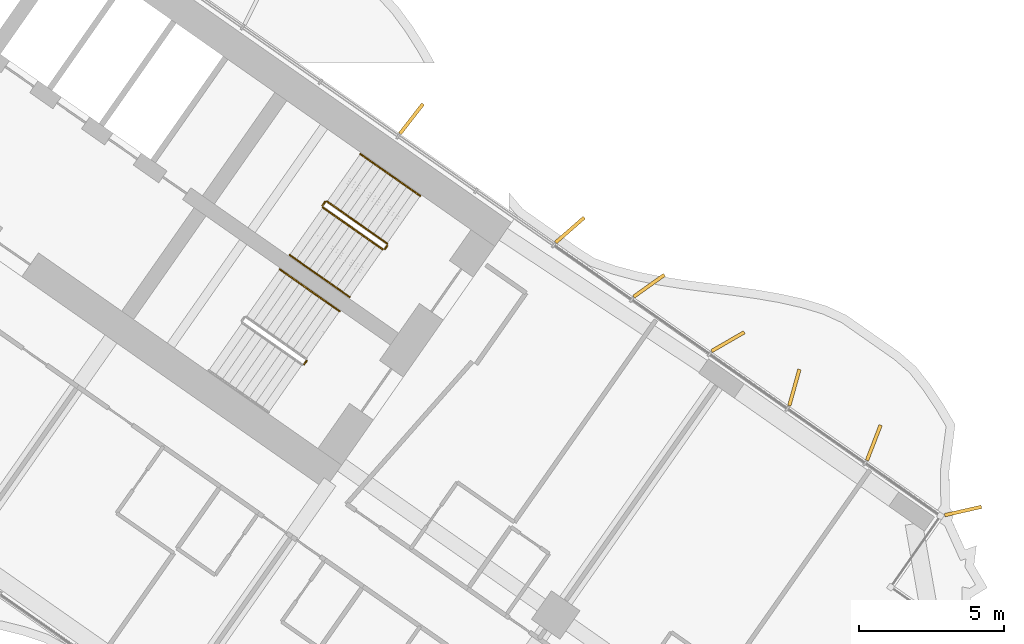
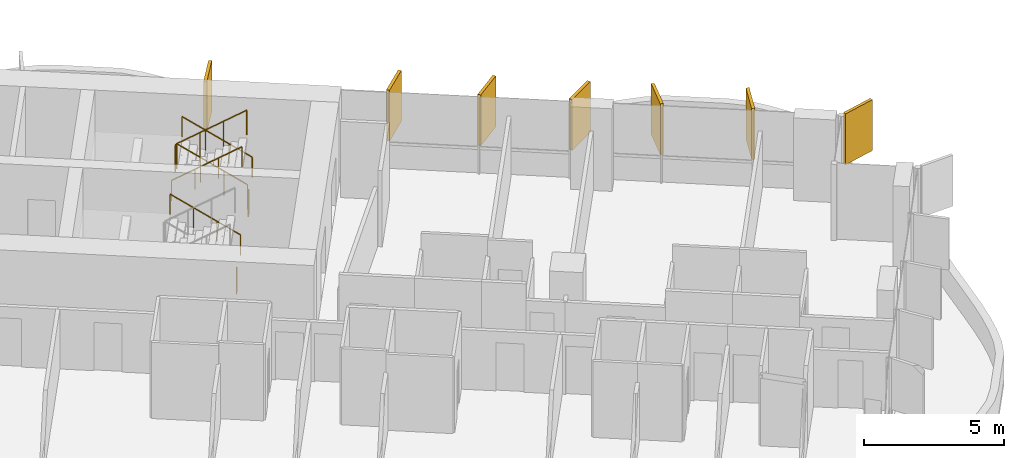
# One storey, part 25 of 25: 8 railings, 7 shading devices.
"""IFC4 building model written with IfcOpenShell, lengths in metres."""

from ifc_helpers import new_model, si_unit, direction, frame, origin, origin_2d, place, context, subcontext, project, spatial, rectangle, circle, extrude, material, layer, layer_set, type_object, element, save


model = new_model("IFC4")

# Units and contexts
model_context = context("Model", 3, precision=1e-05, world=origin(), true_north=direction((0.0, 1.0)))
body_context = subcontext(model_context, "Body", "Model", "MODEL_VIEW")
ifc_project = project(units=[si_unit("LENGTHUNIT", "METRE"), si_unit("AREAUNIT", "SQUARE_METRE"), si_unit("VOLUMEUNIT", "CUBIC_METRE"), si_unit("PLANEANGLEUNIT", "RADIAN"), si_unit("MASSUNIT", "GRAM", prefix="KILO")], contexts=[model_context])

# Site, building, storey
site_placement = place(None, origin())
site = spatial("IfcSite", under=ifc_project, at=site_placement, CompositionType="ELEMENT")
building_placement = place(site_placement, origin())
building = spatial("IfcBuilding", under=site, at=building_placement, Name="Tel Ilan Convention Tower", CompositionType="ELEMENT")
storey_placement = place(building_placement, frame((0.0, 0.0, 61.699951171875)))
storey = spatial("IfcBuildingStorey", under=building, at=storey_placement, Name="L10", CompositionType="ELEMENT", Elevation=61.699951171875)

# Shading devices
ifc_material_1 = material(Name="Aluminium, bronze anodised", Category="aluminium")
ifc_layer = layer(ifc_material_1, 0.1201171875)
ifc_layer_set = layer_set([ifc_layer], Name="FIN BRONZE 1300x120")
shading_device_type = type_object("IfcShadingDeviceType", Name="FIN BRONZE 1300x120", PredefinedType="USERDEFINED", material=ifc_layer_set)
for number, where, z_axis, x_axis, name in (
    (1, (29.980712890625, -7.38720703125, 1.10009765625), (0.0, 0.0, 1.0), (0.753435896329, 0.657521368568, 0.0), "FIN"),
    (2, (24.52197265625, -3.556884765625, 1.10009765625), (0.0, 0.0, 1.0), (0.612600545196, 0.790392669516, 0.0), "FIN"),
    (3, (43.520751953125, -17.065673828125, 1.10009765625), (0.0, 0.0, 1.0), (0.975235208752, 0.221170268371, 0.0), "FIN"),
    (4, (40.4462890625, -14.71533203125, 1.10009765625), (0.0, 0.0, 1.0), (0.360177724803, 0.932883704733, 0.0), "FIN"),
    (5, (37.709228515625, -12.814208984375, 1.10009765625), (0.0, 0.0, 1.0), (0.268172612768, 0.963370878614, 0.0), "FIN"),
    (6, (35.420654296875, -11.234130859375, 1.10009765625), (0.0, 0.0, 1.0), (0.866025403784, 0.5, 0.0), "FIN"),
    (7, (32.703369140625, -9.308837890625, 1.10009765625), (0.0, 0.0, 1.0), (0.813552070258, 0.581492071294, 0.0), "FIN"),
):
    element("IfcShadingDevice", number, at=place(storey_placement, frame(where, z_axis=z_axis, x_axis=x_axis)), inside=storey, type_object=shading_device_type, Name=name, ObjectType="FIN", PredefinedType="USERDEFINED", context=body_context, shape_type="SweptSolid", body=[
        extrude(rectangle(XDim=1.300048828125, YDim=0.1201171875, at=origin_2d()), origin(), (0.0, 0.0, 1.0), 2.219970703125),
    ])

# Railings
ifc_material_2 = material(Name="Stainless Steel Grade 316", Category="steel")
railing_type_1 = type_object("IfcRailingType", Name="Stainless Steel Stair Guard 1100 mm", PredefinedType="GUARDRAIL", material=ifc_material_2)
railing_1_placement = place(storey_placement, frame((23.6787109375, -7.8515625, 0.179931640625)))
element("IfcRailing", 8, at=railing_1_placement, inside=storey, type_object=railing_type_1, Name="L10 S3 stair guard 1", PredefinedType="GUARDRAIL", context=body_context, shape_type="SweptSolid", body=[
    extrude(circle(Radius=0.02392578125, at=origin_2d()), frame((0.0, 0.0, 1.076171875), z_axis=(-0.689013013563, 0.482512838948, 0.540779462804), x_axis=(-0.573624882958, -0.819118119475, 0.0)), (0.0, 0.0, 1.0), 2.995849609375),
    extrude(circle(Radius=0.02099609375, at=origin_2d()), origin(), (0.0, 0.0, 1.0), 1.052001953125),
    extrude(circle(Radius=0.02099609375, at=origin_2d()), frame((-0.68798828125, 0.48193359375, 0.5400390625)), (0.0, 0.0, 1.0), 1.052001953125),
    extrude(circle(Radius=0.02099609375, at=origin_2d()), frame((-1.376220703125, 0.963623046875, 1.080078125)), (0.0, 0.0, 1.0), 1.052001953125),
    extrude(circle(Radius=0.02099609375, at=origin_2d()), frame((-2.064208984375, 1.445556640625, 1.6201171875)), (0.0, 0.0, 1.0), 1.052001953125),
])
railing_2_placement = place(storey_placement, frame((21.544921875, -6.41845703125, 1.800048828125)))
element("IfcRailing", 9, at=railing_2_placement, inside=storey, type_object=railing_type_1, Name="L10 S3 stair guard 2", PredefinedType="GUARDRAIL", context=body_context, shape_type="SweptSolid", body=[
    extrude(circle(Radius=0.02392578125, at=origin_2d()), frame((0.0, 0.0, 1.076171875), z_axis=(-0.573353020881, -0.819308436089, 0.0), x_axis=(0.819308436089, -0.573353020881, 0.0)), (0.0, 0.0, 1.0), 0.14990234375),
    extrude(circle(Radius=0.02099609375, at=origin_2d()), origin(), (0.0, 0.0, 1.0), 1.052001953125),
    extrude(circle(Radius=0.02099609375, at=origin_2d()), frame((-0.0859375, -0.122802734375, 0.0)), (0.0, 0.0, 1.0), 1.052001953125),
])
railing_3_placement = place(storey_placement, frame((21.47119140625, -6.61083984375, 1.97998046875)))
element("IfcRailing", 10, at=railing_3_placement, inside=storey, type_object=railing_type_1, Name="L10 S3 stair guard 3", PredefinedType="GUARDRAIL", context=body_context, shape_type="SweptSolid", body=[
    extrude(circle(Radius=0.02392578125, at=origin_2d()), frame((0.0, 0.0, 1.076171875), z_axis=(0.689013013563, -0.482512838948, 0.540779462804), x_axis=(0.573624882958, 0.819118119475, 0.0)), (0.0, 0.0, 1.0), 2.995849609375),
    extrude(circle(Radius=0.02099609375, at=origin_2d()), origin(), (0.0, 0.0, 1.0), 1.052001953125),
    extrude(circle(Radius=0.02099609375, at=origin_2d()), frame((0.68798828125, -0.48193359375, 0.5400390625)), (0.0, 0.0, 1.0), 1.052001953125),
    extrude(circle(Radius=0.02099609375, at=origin_2d()), frame((1.376220703125, -0.963623046875, 1.080078125)), (0.0, 0.0, 1.0), 1.052001953125),
    extrude(circle(Radius=0.02099609375, at=origin_2d()), frame((2.064208984375, -1.445556640625, 1.6201171875)), (0.0, 0.0, 1.0), 1.052001953125),
])
railing_4_placement = place(storey_placement, frame((23.691162109375, -7.921142578125, 0.0)))
element("IfcRailing", 11, at=railing_4_placement, inside=storey, type_object=railing_type_1, Name="L10 S3 stair guard 4", PredefinedType="GUARDRAIL", context=body_context, shape_type="SweptSolid", body=[
    extrude(circle(Radius=0.02392578125, at=origin_2d()), frame((0.0, 0.0, 1.076171875), z_axis=(-0.574444878118, -0.818543268254, 0.0), x_axis=(0.818543268254, -0.574444878118, 0.0)), (0.0, 0.0, 1.0), 0.150146484375),
    extrude(circle(Radius=0.02099609375, at=origin_2d()), origin(), (0.0, 0.0, 1.0), 1.052001953125),
    extrude(circle(Radius=0.02099609375, at=origin_2d()), frame((-0.086181640625, -0.122802734375, 0.0)), (0.0, 0.0, 1.0), 1.052001953125),
])
railing_5_placement = place(storey_placement, frame((20.9091796875, -11.89404296875, 0.0)))
element("IfcRailing", 12, at=railing_5_placement, inside=storey, type_object=railing_type_1, Name="L10 S4 stair guard 4", PredefinedType="GUARDRAIL", context=body_context, shape_type="SweptSolid", body=[
    extrude(circle(Radius=0.02392578125, at=origin_2d()), frame((0.0, 0.0, 1.076171875), z_axis=(-0.573353020881, -0.819308436089, 0.0), x_axis=(0.819308436089, -0.573353020881, 0.0)), (0.0, 0.0, 1.0), 0.14990234375),
    extrude(circle(Radius=0.02099609375, at=origin_2d()), origin(), (0.0, 0.0, 1.0), 1.052001953125),
    extrude(circle(Radius=0.02099609375, at=origin_2d()), frame((-0.0859375, -0.122802734375, 0.0)), (0.0, 0.0, 1.0), 1.052001953125),
])
ifc_material_3 = material(Name="Stainless Steel Grade 316", Category="steel")
railing_type_2 = type_object("IfcRailingType", Name="Stainless Steel Stair Handrail 900 mm", PredefinedType="HANDRAIL", material=ifc_material_3)
railing_6_placement = place(storey_placement, frame((24.825927734375, -6.213134765625, 0.179931640625)))
element("IfcRailing", 13, at=railing_6_placement, inside=storey, type_object=railing_type_2, Name="L10 S3 stair handrail 1", PredefinedType="HANDRAIL", context=body_context, shape_type="SweptSolid", body=[
    extrude(circle(Radius=0.02392578125, at=origin_2d()), frame((0.0, 0.0, 0.8759765625), z_axis=(-0.689040105437, 0.482450316285, 0.54080072616), x_axis=(-0.573559875649, -0.819163639968, 0.0)), (0.0, 0.0, 1.0), 2.995849609375),
    extrude(circle(Radius=0.02099609375, at=origin_2d()), origin(), (0.0, 0.0, 1.0), 0.851806640625),
    extrude(circle(Radius=0.02099609375, at=origin_2d()), frame((-0.68798828125, 0.481689453125, 0.5400390625)), (0.0, 0.0, 1.0), 0.851806640625),
    extrude(circle(Radius=0.02099609375, at=origin_2d()), frame((-1.376220703125, 0.963623046875, 1.080078125)), (0.0, 0.0, 1.0), 0.851806640625),
    extrude(circle(Radius=0.02099609375, at=origin_2d()), frame((-2.064208984375, 1.4453125, 1.6201171875)), (0.0, 0.0, 1.0), 0.851806640625),
])
railing_7_placement = place(storey_placement, frame((20.323974609375, -8.249267578125, 1.97998046875)))
element("IfcRailing", 14, at=railing_7_placement, inside=storey, type_object=railing_type_2, Name="L10 S3 stair handrail 2", PredefinedType="HANDRAIL", context=body_context, shape_type="SweptSolid", body=[
    extrude(circle(Radius=0.02392578125, at=origin_2d()), frame((0.0, 0.0, 0.8759765625), z_axis=(0.689040105437, -0.482450316285, 0.54080072616), x_axis=(0.573559875649, 0.819163639968, 0.0)), (0.0, 0.0, 1.0), 2.995849609375),
    extrude(circle(Radius=0.02099609375, at=origin_2d()), origin(), (0.0, 0.0, 1.0), 0.851806640625),
    extrude(circle(Radius=0.02099609375, at=origin_2d()), frame((0.68798828125, -0.481689453125, 0.5400390625)), (0.0, 0.0, 1.0), 0.851806640625),
    extrude(circle(Radius=0.02099609375, at=origin_2d()), frame((1.376220703125, -0.963623046875, 1.080078125)), (0.0, 0.0, 1.0), 0.851806640625),
    extrude(circle(Radius=0.02099609375, at=origin_2d()), frame((2.064208984375, -1.4453125, 1.6201171875)), (0.0, 0.0, 1.0), 0.851806640625),
])
railing_8_placement = place(storey_placement, frame((22.044189453125, -10.18603515625, 0.179931640625)))
element("IfcRailing", 15, at=railing_8_placement, inside=storey, type_object=railing_type_2, Name="L10 S4 stair handrail 1", PredefinedType="HANDRAIL", context=body_context, shape_type="SweptSolid", body=[
    extrude(circle(Radius=0.02392578125, at=origin_2d()), frame((0.0, 0.0, 0.8759765625), z_axis=(-0.689082904933, 0.482423225781, 0.540770359169), x_axis=(-0.573514357932, -0.81919550856, 0.0)), (0.0, 0.0, 1.0), 2.995849609375),
    extrude(circle(Radius=0.02099609375, at=origin_2d()), origin(), (0.0, 0.0, 1.0), 0.851806640625),
    extrude(circle(Radius=0.02099609375, at=origin_2d()), frame((-0.688232421875, 0.481689453125, 0.5400390625)), (0.0, 0.0, 1.0), 0.851806640625),
    extrude(circle(Radius=0.02099609375, at=origin_2d()), frame((-1.376220703125, 0.963623046875, 1.080078125)), (0.0, 0.0, 1.0), 0.851806640625),
    extrude(circle(Radius=0.02099609375, at=origin_2d()), frame((-2.064453125, 1.4453125, 1.6201171875)), (0.0, 0.0, 1.0), 0.851806640625),
])

save(model, "model.ifc")
